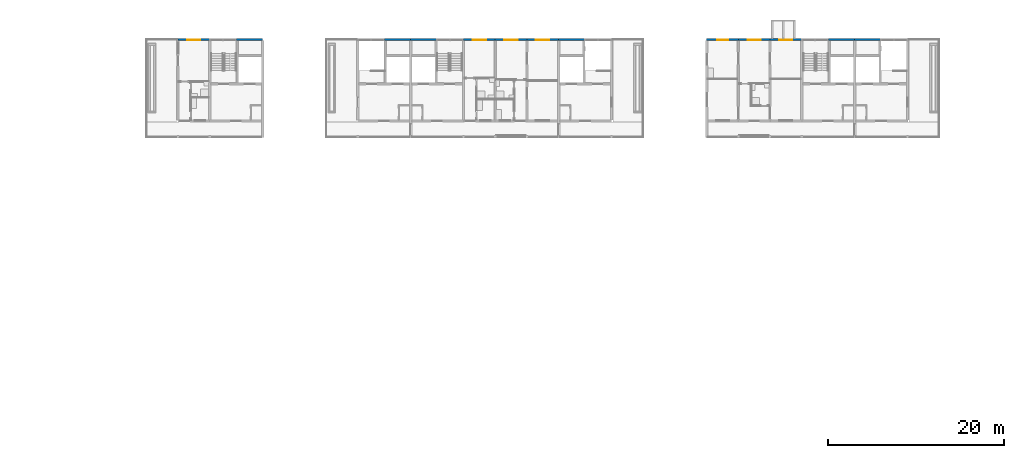
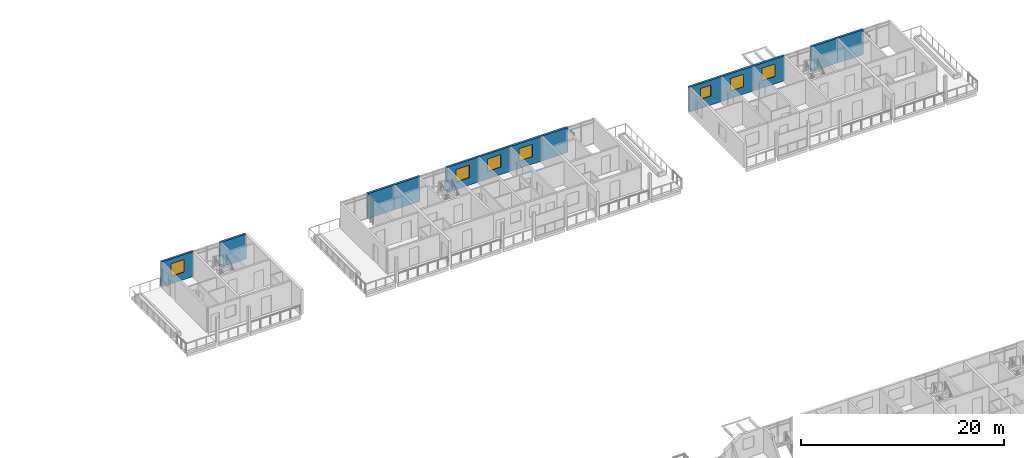
# One storey, part 59 of 87: 13 walls, 7 windows, 7 openings.
"""IFC4 building model written with IfcOpenShell, lengths in metres."""

import ifcopenshell
import ifcopenshell.guid

model = None  # the IFC model being written
_history = None  # IfcOwnerHistory: only IFC2X3 demands one
_inside = {}  # id of a spatial element -> (the spatial element, [elements in it])
_under = {}  # id of a project, library or spatial element -> (it, [spatial elements below it])
_declared = {}  # id of a project -> (the project, [libraries it declares])
_typed = {}  # id of a type object -> (the type object, [elements of that type])
_made_of = {}  # id of a material, layer set ... -> (it, [elements and type objects made of it])


def new_model(schema):
    """Start an empty IFC model of exactly this schema.

    Asked for "IFC4X3", IfcOpenShell would pick the latest addendum, in which some entities
    have other attributes; the version numbers below select the first issue.
    IFC2X3 requires an IfcOwnerHistory on every rooted entity: one is made here for all.
    """
    global model, _history
    if schema == "IFC4X3":
        model = ifcopenshell.file(schema_version=(4, 3, 0, 0))
    else:
        model = ifcopenshell.file(schema=schema)
    _inside.clear()
    _under.clear()
    _declared.clear()
    _typed.clear()
    _made_of.clear()
    _history = None
    if model.schema == "IFC2X3":
        org = make("IfcOrganization", Name="unknown")
        user = make(
            "IfcPersonAndOrganization",
            ThePerson=make("IfcPerson", FamilyName="unknown"),
            TheOrganization=org,
        )
        app = make(
            "IfcApplication",
            ApplicationDeveloper=org,
            Version="unknown",
            ApplicationFullName="unknown",
            ApplicationIdentifier="unknown",
        )
        _history = make(
            "IfcOwnerHistory",
            OwningUser=user,
            OwningApplication=app,
            ChangeAction="ADDED",
            CreationDate=0,
        )
    return model


def make(cls, **values):
    """One entity of the class cls with the attributes given. An attribute that is None is left unset."""
    return model.create_entity(
        cls, **{name: value for name, value in values.items() if value is not None}
    )


def rooted(cls, **values):
    """An entity with a GlobalId (a new one), such as an element, a storey or a relation."""
    return make(cls, GlobalId=ifcopenshell.guid.new(), OwnerHistory=_history, **values)


def si_unit(unit_type, name, prefix=None):
    """IfcSIUnit, for example si_unit("LENGTHUNIT", "METRE", prefix="MILLI")."""
    return make("IfcSIUnit", UnitType=unit_type, Prefix=prefix, Name=name)


def assignment(units):
    """IfcUnitAssignment: the units of a project."""
    return None if units is None else make("IfcUnitAssignment", Units=units)


def point(xyz):
    """IfcCartesianPoint."""
    return None if xyz is None else make("IfcCartesianPoint", Coordinates=xyz)


def direction(xyz):
    """IfcDirection."""
    return None if xyz is None else make("IfcDirection", DirectionRatios=xyz)


def frame(location, z_axis=None, x_axis=None):
    """IfcAxis2Placement3D, a coordinate frame: its origin and axes. An axis left out is left unset."""
    return make(
        "IfcAxis2Placement3D",
        Location=point(location),
        Axis=direction(z_axis),
        RefDirection=direction(x_axis),
    )


def frame_2d(location, x_axis=None):
    """IfcAxis2Placement2D, a coordinate frame in the plane: its origin and x axis."""
    return make(
        "IfcAxis2Placement2D", Location=point(location), RefDirection=direction(x_axis)
    )


def origin():
    """The frame at (0, 0, 0) with its axes left unset."""
    return frame((0.0, 0.0, 0.0))


def place(relative_to, where):
    """IfcLocalPlacement: puts the frame where relative to a parent placement (None: the world)."""
    return make(
        "IfcLocalPlacement", PlacementRelTo=relative_to, RelativePlacement=where
    )


def context(
    kind, dimensions, precision=None, world=None, true_north=None, identifier=None
):
    """IfcGeometricRepresentationContext, for example the 3D "Model" context."""
    return make(
        "IfcGeometricRepresentationContext",
        ContextIdentifier=identifier,
        ContextType=kind,
        CoordinateSpaceDimension=dimensions,
        Precision=precision,
        WorldCoordinateSystem=world,
        TrueNorth=true_north,
    )


def subcontext(parent, identifier, kind, view, scale=None):
    """IfcGeometricRepresentationSubContext, for example "Body" below "Model"."""
    return make(
        "IfcGeometricRepresentationSubContext",
        ContextIdentifier=identifier,
        ContextType=kind,
        ParentContext=parent,
        TargetScale=scale,
        TargetView=view,
    )


def project(units=None, contexts=None):
    """IfcProject with its units and contexts."""
    return rooted(
        "IfcProject",
        Name="project",
        RepresentationContexts=contexts,
        UnitsInContext=assignment(units),
    )


def spatial(cls, under=None, at=None, **own):
    """A site, building, storey or space (cls), placed at a placement, below another one or the project."""
    s = rooted(cls, ObjectPlacement=at, **own)
    if under is not None:
        _under.setdefault(under.id(), (under, []))[1].append(s)
    return s


def profile(cls, at=None, kind="AREA", **sizes):
    """A parametric profile (cls). Its sizes go by their IFC names, for example OverallWidth=200.0."""
    return make(cls, ProfileType=kind, Position=at, **sizes)


def rectangle(**sizes):
    """IfcRectangleProfileDef."""
    return profile("IfcRectangleProfileDef", **sizes)


def extrude(swept, where, along, depth):
    """IfcExtrudedAreaSolid: the profile swept, set in the frame where, extruded along a direction by depth."""
    return make(
        "IfcExtrudedAreaSolid",
        SweptArea=swept,
        Position=where,
        ExtrudedDirection=direction(along),
        Depth=depth,
    )


def shape(context_of_items, identifier, shape_type, items):
    """IfcShapeRepresentation: the items that make up one representation, for example the "Body"."""
    return make(
        "IfcShapeRepresentation",
        ContextOfItems=context_of_items,
        RepresentationIdentifier=identifier,
        RepresentationType=shape_type,
        Items=items,
    )


def material(Name=None, Category=None):
    """IfcMaterial."""
    return make("IfcMaterial", Name=Name, Category=Category)


def layer(
    of_material, thickness, ventilated=None, Name=None, Category=None, Priority=None
):
    """IfcMaterialLayer: one layer of a wall or slab, of a material (None: an air gap)."""
    return make(
        "IfcMaterialLayer",
        Material=of_material,
        LayerThickness=thickness,
        IsVentilated=ventilated,
        Name=Name,
        Category=Category,
        Priority=Priority,
    )


def layer_set(layers, Name=None):
    """IfcMaterialLayerSet."""
    return make("IfcMaterialLayerSet", MaterialLayers=layers, LayerSetName=Name)


def made_of(thing, what):
    """Note that an element or type object is made of a material, layer set ...; save() writes the relation."""
    if what is not None:
        _made_of.setdefault(what.id(), (what, []))[1].append(thing)
    return thing


def type_object(cls, material=None, **own):
    """A type object (cls), such as IfcWallType, which elements share."""
    return made_of(rooted(cls, **own), material)


def element(
    cls,
    number,
    at=None,
    inside=None,
    cuts=None,
    type_object=None,
    material=None,
    context=None,
    identifier="Body",
    shape_type=None,
    held_by="IfcProductDefinitionShape",
    body=None,
    shapes=None,
    **own,
):
    """One element of the class cls, such as IfcWall. Its Tag is "e" and its number.

    at: its placement. inside: the storey or other place that contains it. cuts: it is an
    opening in that element (IfcRelVoidsElement). A single representation is given by context,
    identifier, shape_type and body (its items); several are given by shapes. held_by: the class
    of the entity that holds the representations. save() writes the other relations.
    """
    e = rooted(cls, Tag="e%d" % number, ObjectPlacement=at, **own)
    if body is not None:
        shapes = [shape(context, identifier, shape_type, body)]
    if shapes is not None:
        e.Representation = make(held_by, Representations=shapes)
    if inside is not None:
        _inside.setdefault(inside.id(), (inside, []))[1].append(e)
    if cuts is not None:
        rooted(
            "IfcRelVoidsElement", RelatingBuildingElement=cuts, RelatedOpeningElement=e
        )
    if type_object is not None:
        _typed.setdefault(type_object.id(), (type_object, []))[1].append(e)
    return made_of(e, material)


def fill(opening, filler):
    """IfcRelFillsElement: the door or window that sits in an opening."""
    return rooted(
        "IfcRelFillsElement",
        RelatingOpeningElement=opening,
        RelatedBuildingElement=filler,
    )


def aggregate(whole, parts):
    """IfcRelAggregates: a whole, such as a stair, and the parts it consists of."""
    return rooted("IfcRelAggregates", RelatingObject=whole, RelatedObjects=parts)


def save(model, path):
    """Write the relations noted so far, then the file.

    IfcRelAggregates (storeys below a building ...), IfcRelContainedInSpatialStructure (elements
    in a storey), IfcRelDefinesByType, IfcRelAssociatesMaterial and IfcRelDeclares: one each for
    every whole, place, type object, material and project.
    """
    for whole, parts in _under.values():
        aggregate(whole, parts)
    for where, things in _inside.values():
        rooted(
            "IfcRelContainedInSpatialStructure",
            RelatedElements=things,
            RelatingStructure=where,
        )
    for kind, things in _typed.values():
        rooted("IfcRelDefinesByType", RelatedObjects=things, RelatingType=kind)
    for what, things in _made_of.values():
        rooted("IfcRelAssociatesMaterial", RelatedObjects=things, RelatingMaterial=what)
    for by, libraries in _declared.values():
        rooted("IfcRelDeclares", RelatingContext=by, RelatedDefinitions=libraries)
    model.write(path)


model = new_model("IFC4")

# Units and contexts
model_context = context("Model", 3, precision=1e-05, world=origin(), true_north=direction((0.0, 1.0)))
body_context = subcontext(model_context, "Body", "Model", "MODEL_VIEW")
ifc_project = project(units=[si_unit("LENGTHUNIT", "METRE"), si_unit("AREAUNIT", "SQUARE_METRE"), si_unit("VOLUMEUNIT", "CUBIC_METRE"), si_unit("PLANEANGLEUNIT", "RADIAN"), si_unit("MASSUNIT", "GRAM", prefix="KILO")], contexts=[model_context])

# Site, building, storey
site_placement = place(None, origin())
site = spatial("IfcSite", under=ifc_project, at=site_placement, CompositionType="ELEMENT")
building_placement = place(site_placement, origin())
building = spatial("IfcBuilding", under=site, at=building_placement, Name="Ridgestep Commons", CompositionType="ELEMENT")
storey_placement = place(building_placement, frame((0.0, 0.0, 27.0)))
storey = spatial("IfcBuildingStorey", under=building, at=storey_placement, Name="L09", CompositionType="ELEMENT", Elevation=27.0)

# Wall, opening, window
ifc_material_1 = material(Name="Precast concrete C40/50", Category="concrete")
ifc_layer = layer(ifc_material_1, 0.25)
ifc_layer_set = layer_set([ifc_layer], Name="North facade panel 250")
wall_type = type_object("IfcWallType", Name="North facade panel 250", PredefinedType="SOLIDWALL", material=ifc_layer_set)
wall_1_placement = place(storey_placement, frame((154.0, 77.125, 0.0), z_axis=(0.0, 0.0, 1.0), x_axis=(1.0, 0.0, 0.0)))
wall_1 = element("IfcWall", 1, at=wall_1_placement, inside=storey, type_object=wall_type, Name="North panel C1T3 L09", PredefinedType="SOLIDWALL", context=body_context, shape_type="SweptSolid", body=[
    extrude(rectangle(XDim=3.60009765625, YDim=0.25, at=frame_2d((1.800048828125, 0.0))), origin(), (0.0, 0.0, 1.0), 3.0),
])
opening_1_placement = place(wall_1_placement, frame((1.03759765625, 0.0, 0.89990234375)))
opening_1 = element("IfcOpeningElement", 2, at=opening_1_placement, cuts=wall_1, Name="Opening W16", PredefinedType="OPENING", context=body_context, shape_type="SweptSolid", body=[
    extrude(rectangle(XDim=1.5, YDim=1.5, at=frame_2d((0.75, 0.75))), frame((0.0, 0.135009765625, 0.0), z_axis=(0.0, -1.0, 0.0), x_axis=(1.0, 0.0, 0.0)), (0.0, 0.0, 1.0), 0.27001953125),
])
ifc_material_2 = material(Name="Aluminium 6063-T6 and glass", Category="aluminium")
window_type_1 = type_object("IfcWindowType", Name="Flat window 1500 x 1500", PartitioningType="DOUBLE_PANEL_VERTICAL", PredefinedType="WINDOW", material=ifc_material_2)
window_1_placement = place(opening_1_placement, origin())
window_1 = element("IfcWindow", 3, at=window_1_placement, inside=storey, type_object=window_type_1, Name="Window C1-09a 2", OverallHeight=1.5, OverallWidth=1.5, PartitioningType="SINGLE_PANEL", PredefinedType="WINDOW", context=body_context, shape_type="SweptSolid", body=[
    extrude(rectangle(XDim=1.5, YDim=1.5, at=frame_2d((0.75, 0.75))), frame((0.0, -0.02490234375, 0.0), z_axis=(0.0, -1.0, 0.0), x_axis=(1.0, 0.0, 0.0)), (0.0, 0.0, 1.0), 0.06005859375),
])
fill(opening_1, window_1)

# Walls
wall_2_placement = place(storey_placement, frame((160.625, 77.125, 0.0), z_axis=(0.0, 0.0, 1.0), x_axis=(1.0, 0.0, 0.0)))
element("IfcWall", 4, at=wall_2_placement, inside=storey, type_object=wall_type, Name="North panel C1C L09", PredefinedType="SOLIDWALL", context=body_context, shape_type="SweptSolid", body=[
    extrude(rectangle(XDim=2.97509765625, YDim=0.25, at=frame_2d((1.487548828125, 0.0))), origin(), (0.0, 0.0, 1.0), 3.0),
])
wall_3_placement = place(storey_placement, frame((177.425048828125, 77.125, 0.0), z_axis=(0.0, 0.0, 1.0), x_axis=(1.0, 0.0, 0.0)))
element("IfcWall", 5, at=wall_3_placement, inside=storey, type_object=wall_type, Name="North panel C2C L09", PredefinedType="SOLIDWALL", context=body_context, shape_type="SweptSolid", body=[
    extrude(rectangle(XDim=2.974853515625, YDim=0.25, at=frame_2d((1.4873046875, 0.0))), origin(), (0.0, 0.0, 1.0), 3.0),
])
wall_4_placement = place(storey_placement, frame((180.39990234375, 77.125, 0.0), z_axis=(0.0, 0.0, 1.0), x_axis=(1.0, 0.0, 0.0)))
element("IfcWall", 6, at=wall_4_placement, inside=storey, type_object=wall_type, Name="North panel C3C L09", PredefinedType="SOLIDWALL", context=body_context, shape_type="SweptSolid", body=[
    extrude(rectangle(XDim=2.97509765625, YDim=0.25, at=frame_2d((1.487548828125, 0.0))), origin(), (0.0, 0.0, 1.0), 3.0),
])

# Wall, opening, window
wall_5_placement = place(storey_placement, frame((186.39990234375, 77.125, 0.0), z_axis=(0.0, 0.0, 1.0), x_axis=(1.0, 0.0, 0.0)))
wall_5 = element("IfcWall", 7, at=wall_5_placement, inside=storey, type_object=wall_type, Name="North panel C3T3 L09", PredefinedType="SOLIDWALL", context=body_context, shape_type="SweptSolid", body=[
    extrude(rectangle(XDim=3.60009765625, YDim=0.25, at=frame_2d((1.800048828125, 0.0))), origin(), (0.0, 0.0, 1.0), 3.0),
])
opening_2_placement = place(wall_5_placement, frame((1.0625, 0.0, 0.89990234375)))
opening_2 = element("IfcOpeningElement", 8, at=opening_2_placement, cuts=wall_5, Name="Opening W16", PredefinedType="OPENING", context=body_context, shape_type="SweptSolid", body=[
    extrude(rectangle(XDim=1.5, YDim=1.5, at=frame_2d((0.75, 0.75))), frame((0.0, 0.135009765625, 0.0), z_axis=(0.0, -1.0, 0.0), x_axis=(1.0, 0.0, 0.0)), (0.0, 0.0, 1.0), 0.27001953125),
])
window_2_placement = place(opening_2_placement, origin())
window_2 = element("IfcWindow", 9, at=window_2_placement, inside=storey, type_object=window_type_1, Name="Window C3-09b 2", OverallHeight=1.5, OverallWidth=1.5, PartitioningType="SINGLE_PANEL", PredefinedType="WINDOW", context=body_context, shape_type="SweptSolid", body=[
    extrude(rectangle(XDim=1.5, YDim=1.5, at=frame_2d((0.75, 0.75))), frame((0.0, -0.02490234375, 0.0), z_axis=(0.0, -1.0, 0.0), x_axis=(1.0, 0.0, 0.0)), (0.0, 0.0, 1.0), 0.06005859375),
])
fill(opening_2, window_2)

wall_6_placement = place(storey_placement, frame((190.0, 77.125, 0.0), z_axis=(0.0, 0.0, 1.0), x_axis=(1.0, 0.0, 0.0)))
wall_6 = element("IfcWall", 10, at=wall_6_placement, inside=storey, type_object=wall_type, Name="North panel C3T2 L09", PredefinedType="SOLIDWALL", context=body_context, shape_type="SweptSolid", body=[
    extrude(rectangle(XDim=3.60009765625, YDim=0.25, at=frame_2d((1.800048828125, 0.0))), origin(), (0.0, 0.0, 1.0), 3.0),
])
opening_3_placement = place(wall_6_placement, frame((1.050048828125, 0.0, 0.89990234375)))
opening_3 = element("IfcOpeningElement", 11, at=opening_3_placement, cuts=wall_6, Name="Opening W16", PredefinedType="OPENING", context=body_context, shape_type="SweptSolid", body=[
    extrude(rectangle(XDim=1.5, YDim=1.5, at=frame_2d((0.75, 0.75))), frame((0.0, 0.135009765625, 0.0), z_axis=(0.0, -1.0, 0.0), x_axis=(1.0, 0.0, 0.0)), (0.0, 0.0, 1.0), 0.27001953125),
])
window_3_placement = place(opening_3_placement, origin())
window_3 = element("IfcWindow", 12, at=window_3_placement, inside=storey, type_object=window_type_1, Name="Window C3-09a 4", OverallHeight=1.5, OverallWidth=1.5, PartitioningType="SINGLE_PANEL", PredefinedType="WINDOW", context=body_context, shape_type="SweptSolid", body=[
    extrude(rectangle(XDim=1.5, YDim=1.5, at=frame_2d((0.75, 0.75))), frame((0.0, -0.02490234375, 0.0), z_axis=(0.0, -1.0, 0.0), x_axis=(1.0, 0.0, 0.0)), (0.0, 0.0, 1.0), 0.06005859375),
])
fill(opening_3, window_3)

wall_7_placement = place(storey_placement, frame((193.60009765625, 77.125, 0.0), z_axis=(0.0, 0.0, 1.0), x_axis=(1.0, 0.0, 0.0)))
wall_7 = element("IfcWall", 13, at=wall_7_placement, inside=storey, type_object=wall_type, Name="North panel C3T1 L09", PredefinedType="SOLIDWALL", context=body_context, shape_type="SweptSolid", body=[
    extrude(rectangle(XDim=3.599853515625, YDim=0.25, at=frame_2d((1.7998046875, 0.0))), origin(), (0.0, 0.0, 1.0), 3.0),
])
opening_4_placement = place(wall_7_placement, frame((1.02490234375, 0.0, 0.89990234375)))
opening_4 = element("IfcOpeningElement", 14, at=opening_4_placement, cuts=wall_7, Name="Opening W16", PredefinedType="OPENING", context=body_context, shape_type="SweptSolid", body=[
    extrude(rectangle(XDim=1.5, YDim=1.5, at=frame_2d((0.75, 0.75))), frame((0.0, 0.135009765625, 0.0), z_axis=(0.0, -1.0, 0.0), x_axis=(1.0, 0.0, 0.0)), (0.0, 0.0, 1.0), 0.27001953125),
])
window_4_placement = place(opening_4_placement, origin())
window_4 = element("IfcWindow", 15, at=window_4_placement, inside=storey, type_object=window_type_1, Name="Window C3-09a 2", OverallHeight=1.5, OverallWidth=1.5, PartitioningType="SINGLE_PANEL", PredefinedType="WINDOW", context=body_context, shape_type="SweptSolid", body=[
    extrude(rectangle(XDim=1.5, YDim=1.5, at=frame_2d((0.75, 0.75))), frame((0.0, -0.02490234375, 0.0), z_axis=(0.0, -1.0, 0.0), x_axis=(1.0, 0.0, 0.0)), (0.0, 0.0, 1.0), 0.06005859375),
])
fill(opening_4, window_4)

# Wall
wall_8_placement = place(storey_placement, frame((197.199951171875, 77.125, 0.0), z_axis=(0.0, 0.0, 1.0), x_axis=(1.0, 0.0, 0.0)))
element("IfcWall", 16, at=wall_8_placement, inside=storey, type_object=wall_type, Name="North panel C4C L09", PredefinedType="SOLIDWALL", context=body_context, shape_type="SweptSolid", body=[
    extrude(rectangle(XDim=2.97509765625, YDim=0.25, at=frame_2d((1.487548828125, 0.0))), origin(), (0.0, 0.0, 1.0), 3.0),
])

# Wall, opening, window
wall_9_placement = place(storey_placement, frame((214.0, 77.125, 0.0), z_axis=(0.0, 0.0, 1.0), x_axis=(1.0, 0.0, 0.0)))
wall_9 = element("IfcWall", 17, at=wall_9_placement, inside=storey, type_object=wall_type, Name="North panel C5T1 L09", PredefinedType="SOLIDWALL", context=body_context, shape_type="SweptSolid", body=[
    extrude(rectangle(XDim=3.60009765625, YDim=0.25, at=frame_2d((1.800048828125, 0.0))), origin(), (0.0, 0.0, 1.0), 3.0),
])
opening_5_placement = place(wall_9_placement, frame((1.22509765625, 0.0, 1.10009765625)))
opening_5 = element("IfcOpeningElement", 18, at=opening_5_placement, cuts=wall_9, Name="Opening W08", PredefinedType="OPENING", context=body_context, shape_type="SweptSolid", body=[
    extrude(rectangle(XDim=1.199951171875, YDim=1.300048828125, at=frame_2d((0.60009765625, 0.64990234375))), frame((0.0, 0.135009765625, 0.0), z_axis=(0.0, -1.0, 0.0), x_axis=(1.0, 0.0, 0.0)), (0.0, 0.0, 1.0), 0.27001953125),
])
ifc_material_3 = material(Name="Aluminium 6063-T6 and glass", Category="aluminium")
window_type_2 = type_object("IfcWindowType", Name="Flat window 1200 x 1300", PartitioningType="SINGLE_PANEL", PredefinedType="WINDOW", material=ifc_material_3)
window_5_placement = place(opening_5_placement, origin())
window_5 = element("IfcWindow", 19, at=window_5_placement, inside=storey, type_object=window_type_2, Name="Window C5-09a 2", OverallHeight=1.300048828125, OverallWidth=1.199951171875, PartitioningType="SINGLE_PANEL", PredefinedType="WINDOW", context=body_context, shape_type="SweptSolid", body=[
    extrude(rectangle(XDim=1.199951171875, YDim=1.300048828125, at=frame_2d((0.60009765625, 0.64990234375))), frame((0.0, -0.02490234375, 0.0), z_axis=(0.0, -1.0, 0.0), x_axis=(1.0, 0.0, 0.0)), (0.0, 0.0, 1.0), 0.06005859375),
])
fill(opening_5, window_5)

wall_10_placement = place(storey_placement, frame((217.60009765625, 77.125, 0.0), z_axis=(0.0, 0.0, 1.0), x_axis=(1.0, 0.0, 0.0)))
wall_10 = element("IfcWall", 20, at=wall_10_placement, inside=storey, type_object=wall_type, Name="North panel C5T2 L09", PredefinedType="SOLIDWALL", context=body_context, shape_type="SweptSolid", body=[
    extrude(rectangle(XDim=3.599853515625, YDim=0.25, at=frame_2d((1.7998046875, 0.0))), origin(), (0.0, 0.0, 1.0), 3.0),
])
opening_6_placement = place(wall_10_placement, frame((1.050048828125, 0.0, 0.89990234375)))
opening_6 = element("IfcOpeningElement", 21, at=opening_6_placement, cuts=wall_10, Name="Opening W16", PredefinedType="OPENING", context=body_context, shape_type="SweptSolid", body=[
    extrude(rectangle(XDim=1.5, YDim=1.5, at=frame_2d((0.75, 0.75))), frame((0.0, 0.135009765625, 0.0), z_axis=(0.0, -1.0, 0.0), x_axis=(1.0, 0.0, 0.0)), (0.0, 0.0, 1.0), 0.27001953125),
])
window_6_placement = place(opening_6_placement, origin())
window_6 = element("IfcWindow", 22, at=window_6_placement, inside=storey, type_object=window_type_1, Name="Window C5-09a 5", OverallHeight=1.5, OverallWidth=1.5, PartitioningType="SINGLE_PANEL", PredefinedType="WINDOW", context=body_context, shape_type="SweptSolid", body=[
    extrude(rectangle(XDim=1.5, YDim=1.5, at=frame_2d((0.75, 0.75))), frame((0.0, -0.02490234375, 0.0), z_axis=(0.0, -1.0, 0.0), x_axis=(1.0, 0.0, 0.0)), (0.0, 0.0, 1.0), 0.06005859375),
])
fill(opening_6, window_6)

wall_11_placement = place(storey_placement, frame((221.199951171875, 77.125, 0.0), z_axis=(0.0, 0.0, 1.0), x_axis=(1.0, 0.0, 0.0)))
wall_11 = element("IfcWall", 23, at=wall_11_placement, inside=storey, type_object=wall_type, Name="North panel C5T3 L09", PredefinedType="SOLIDWALL", context=body_context, shape_type="SweptSolid", body=[
    extrude(rectangle(XDim=3.60009765625, YDim=0.25, at=frame_2d((1.800048828125, 0.0))), origin(), (0.0, 0.0, 1.0), 3.0),
])
opening_7_placement = place(wall_11_placement, frame((1.03759765625, 0.0, 0.89990234375)))
opening_7 = element("IfcOpeningElement", 24, at=opening_7_placement, cuts=wall_11, Name="Opening W16", PredefinedType="OPENING", context=body_context, shape_type="SweptSolid", body=[
    extrude(rectangle(XDim=1.5, YDim=1.5, at=frame_2d((0.75, 0.75))), frame((0.0, 0.135009765625, 0.0), z_axis=(0.0, -1.0, 0.0), x_axis=(1.0, 0.0, 0.0)), (0.0, 0.0, 1.0), 0.27001953125),
])
window_7_placement = place(opening_7_placement, origin())
window_7 = element("IfcWindow", 25, at=window_7_placement, inside=storey, type_object=window_type_1, Name="Window C5-09a 4", OverallHeight=1.5, OverallWidth=1.5, PartitioningType="SINGLE_PANEL", PredefinedType="WINDOW", context=body_context, shape_type="SweptSolid", body=[
    extrude(rectangle(XDim=1.5, YDim=1.5, at=frame_2d((0.75, 0.75))), frame((0.0, -0.02490234375, 0.0), z_axis=(0.0, -1.0, 0.0), x_axis=(1.0, 0.0, 0.0)), (0.0, 0.0, 1.0), 0.06005859375),
])
fill(opening_7, window_7)

# Walls
wall_12_placement = place(storey_placement, frame((227.824951171875, 77.125, 0.0), z_axis=(0.0, 0.0, 1.0), x_axis=(1.0, 0.0, 0.0)))
element("IfcWall", 26, at=wall_12_placement, inside=storey, type_object=wall_type, Name="North panel C5C L09", PredefinedType="SOLIDWALL", context=body_context, shape_type="SweptSolid", body=[
    extrude(rectangle(XDim=2.97509765625, YDim=0.25, at=frame_2d((1.487548828125, 0.0))), origin(), (0.0, 0.0, 1.0), 3.0),
])
wall_13_placement = place(storey_placement, frame((230.800048828125, 77.125, 0.0), z_axis=(0.0, 0.0, 1.0), x_axis=(1.0, 0.0, 0.0)))
element("IfcWall", 27, at=wall_13_placement, inside=storey, type_object=wall_type, Name="North panel C6C L09", PredefinedType="SOLIDWALL", context=body_context, shape_type="SweptSolid", body=[
    extrude(rectangle(XDim=2.974853515625, YDim=0.25, at=frame_2d((1.4873046875, 0.0))), origin(), (0.0, 0.0, 1.0), 3.0),
])

save(model, "model.ifc")
